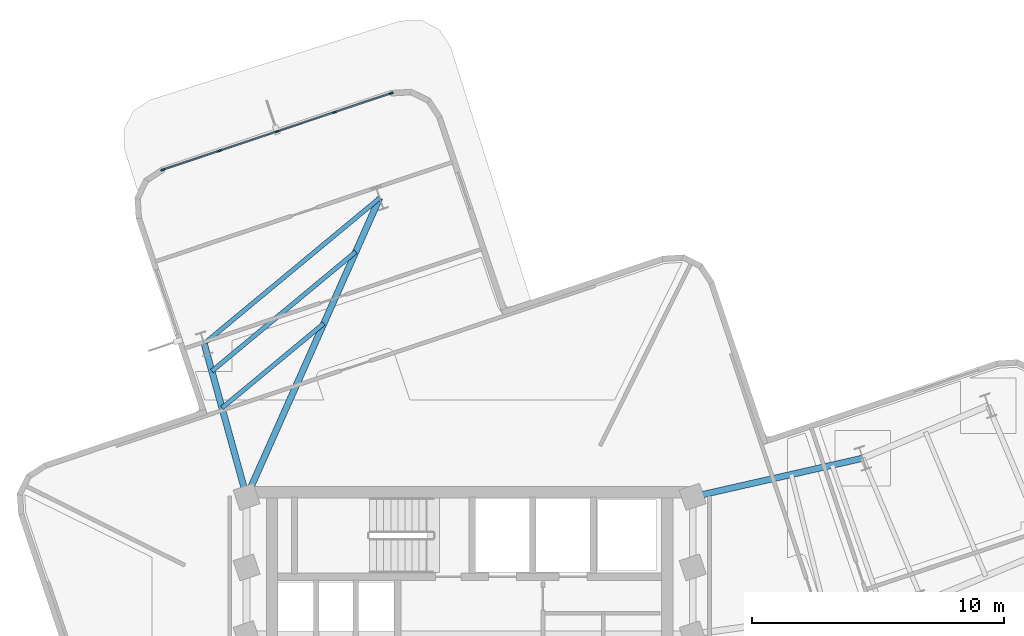
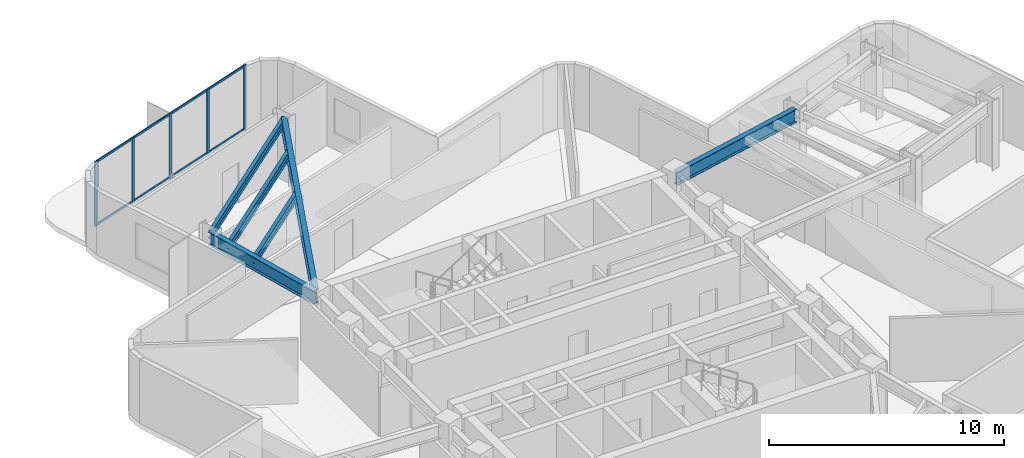
# One storey, part 4 of 11: 13 members, 6 beams, 1 element without a shape of its own.
"""IFC4 building model written with IfcOpenShell, lengths in metres."""

from ifc_helpers import new_model, si_unit, direction, frame, origin, origin_2d, place, context, subcontext, project, spatial, rectangle, i_section, extrude, material, layer, layer_set, material_profile, profile_set, type_object, element, aggregate, save


model = new_model("IFC4")

# Units and contexts
model_context = context("Model", 3, precision=1e-05, world=origin(), true_north=direction((0.0, 1.0)))
body_context = subcontext(model_context, "Body", "Model", "MODEL_VIEW")
ifc_project = project(units=[si_unit("LENGTHUNIT", "METRE"), si_unit("AREAUNIT", "SQUARE_METRE"), si_unit("VOLUMEUNIT", "CUBIC_METRE"), si_unit("PLANEANGLEUNIT", "RADIAN"), si_unit("MASSUNIT", "GRAM", prefix="KILO")], contexts=[model_context])

# Site, building, storey
site_placement = place(None, origin())
site = spatial("IfcSite", under=ifc_project, at=site_placement, CompositionType="ELEMENT")
building_placement = place(site_placement, origin())
building = spatial("IfcBuilding", under=site, at=building_placement, Name="Solmarez Civic Tower", CompositionType="ELEMENT")
storey_placement = place(building_placement, frame((0.0, 0.0, 155.8798828125)))
storey = spatial("IfcBuildingStorey", under=building, at=storey_placement, Name="L41", CompositionType="ELEMENT", Elevation=155.8798828125)

# Beams
ifc_material_1 = material(Name="Steel S355", Category="steel")
ifc_material_profile_1 = material_profile(ifc_material_1, i_section(OverallWidth=0.178955078125, OverallDepth=0.409912109375, WebThickness=0.0087890625, FlangeThickness=0.014404296875, at=origin_2d()), Name="W16X45")
ifc_profile_set_1 = profile_set([ifc_material_profile_1], Name="Steel S355")
beam_type_1 = type_object("IfcBeamType", Name="BM-JS-W16X45", PredefinedType="JOIST", material=ifc_profile_set_1)
beam_1_placement = place(storey_placement, frame((-3.570068359375, 20.20703125, 3.135009765625), z_axis=(-0.769767664309, -0.638324167633, 0.0), x_axis=(0.638324167633, -0.769767664309, 0.0)))
element("IfcBeam", 1, at=beam_1_placement, inside=storey, type_object=beam_type_1, Name="L41 Secondary Floor Joist BM-L41-NA-T1", PredefinedType="JOIST", context=body_context, shape_type="SweptSolid", body=[
    extrude(i_section(OverallWidth=0.178955078125, OverallDepth=0.409912109375, WebThickness=0.0087890625, FlangeThickness=0.014404296875, at=origin_2d()), origin(), (0.0, 0.0, 1.0), 9.04541015625),
])
beam_2_placement = place(storey_placement, frame((-5.7880859375, 15.22705078125, 3.135009765625), z_axis=(-0.76969549019, -0.63841119381, 0.0), x_axis=(0.63841119381, -0.76969549019, 0.0)))
element("IfcBeam", 2, at=beam_2_placement, inside=storey, type_object=beam_type_1, Name="L41 Secondary Floor Joist JS-L41-NA-M11", PredefinedType="JOIST", context=body_context, shape_type="SweptSolid", body=[
    extrude(i_section(OverallWidth=0.178955078125, OverallDepth=0.409912109375, WebThickness=0.0087890625, FlangeThickness=0.014404296875, at=origin_2d()), origin(), (0.0, 0.0, 1.0), 5.24609375),
])
beam_3_placement = place(storey_placement, frame((-4.52001953125, 18.072998046875, 3.135009765625), z_axis=(-0.769756777075, -0.638337296535, 0.0), x_axis=(0.638337296535, -0.769756777075, 0.0)))
element("IfcBeam", 3, at=beam_3_placement, inside=storey, type_object=beam_type_1, Name="L41 Secondary Floor Joist JS-L41-NA-M12", PredefinedType="JOIST", context=body_context, shape_type="SweptSolid", body=[
    extrude(i_section(OverallWidth=0.178955078125, OverallDepth=0.409912109375, WebThickness=0.0087890625, FlangeThickness=0.014404296875, at=origin_2d()), origin(), (0.0, 0.0, 1.0), 7.41796875),
])
ifc_material_profile_2 = material_profile(ifc_material_1, i_section(OverallWidth=0.25390625, OverallDepth=0.68798828125, WebThickness=0.01318359375, FlangeThickness=0.02099609375, at=origin_2d()), Name="W27X102")
ifc_profile_set_2 = profile_set([ifc_material_profile_2], Name="Steel S355")
beam_type_2 = type_object("IfcBeamType", Name="BM-PR-W27X102", PredefinedType="BEAM", material=ifc_profile_set_2)
beam_4_placement = place(storey_placement, frame((8.85009765625, 8.35009765625, 2.99609375), z_axis=(0.975124879448, 0.221656196577, 0.0), x_axis=(-0.221656196577, 0.975124879448, 0.0)))
element("IfcBeam", 4, at=beam_4_placement, inside=storey, type_object=beam_type_2, Name="L41 Primary Floor Beam BM-L41-EA-R1B", PredefinedType="BEAM", context=body_context, shape_type="SweptSolid", body=[
    extrude(i_section(OverallWidth=0.25390625, OverallDepth=0.68798828125, WebThickness=0.01318359375, FlangeThickness=0.02099609375, at=origin_2d()), origin(), (0.0, 0.0, 1.0), 6.916015625),
])
beam_5_placement = place(storey_placement, frame((-8.85009765625, 8.35009765625, 2.99609375), z_axis=(0.406799805731, 0.9135173332, 0.0), x_axis=(-0.9135173332, 0.406799805731, 0.0)))
element("IfcBeam", 5, at=beam_5_placement, inside=storey, type_object=beam_type_2, Name="L41 Primary Floor Beam BM-L41-NA-R1A", PredefinedType="BEAM", context=body_context, shape_type="SweptSolid", body=[
    extrude(i_section(OverallWidth=0.25390625, OverallDepth=0.68798828125, WebThickness=0.01318359375, FlangeThickness=0.02099609375, at=origin_2d()), origin(), (0.0, 0.0, 1.0), 12.9794921875),
])
beam_6_placement = place(storey_placement, frame((-8.85009765625, 8.35009765625, 2.99609375), z_axis=(-0.266634219494, 0.963797796737, 0.0), x_axis=(-0.963797796737, -0.266634219494, 0.0)))
element("IfcBeam", 6, at=beam_6_placement, inside=storey, type_object=beam_type_2, Name="L41 Primary Floor Beam BM-L41-NA-R1B", PredefinedType="BEAM", context=body_context, shape_type="SweptSolid", body=[
    extrude(i_section(OverallWidth=0.25390625, OverallDepth=0.68798828125, WebThickness=0.01318359375, FlangeThickness=0.02099609375, at=origin_2d()), origin(), (0.0, 0.0, 1.0), 6.3115234375),
])

# Curtain wall, members
ifc_material_2 = material(Name="Bronze Anodised Aluminium EN AW-6063 T6", Category="aluminium")
ifc_layer = layer(ifc_material_2, 0.175048828125)
ifc_layer_set = layer_set([ifc_layer], Name="Bronze Anodised Aluminium EN AW-6063 T6")
curtain_wall_type = type_object("IfcCurtainWallType", Name="CW-SYS-3", PredefinedType="NOTDEFINED", material=ifc_layer_set)
curtain_wall_placement = place(storey_placement, origin())
curtain_wall = element("IfcCurtainWall", 7, at=curtain_wall_placement, inside=storey, type_object=curtain_wall_type, Name="L41 Stick-Built Curtain Wall 2", PredefinedType="NOTDEFINED")
ifc_material_profile_3 = material_profile(ifc_material_2, rectangle(XDim=0.06494140625, YDim=0.1650390625, at=origin_2d()), Name="CWM-65X165")
ifc_profile_set_3 = profile_set([ifc_material_profile_3], Name="Bronze Anodised Aluminium EN AW-6063 T6")
member_type_1 = type_object("IfcMemberType", Name="CWM-TYPE-3", PredefinedType="MULLION", material=ifc_profile_set_3)
member_1_placement = place(storey_placement, frame((-12.17529296875, 21.329345703125, 0.0), z_axis=(0.0, 0.0, 1.0), x_axis=(-0.317318892633, 0.948318891712, 0.0)))
member_1 = element("IfcMember", 8, at=member_1_placement, type_object=member_type_1, Name="CWS3 mullion 1", PredefinedType="MULLION", context=body_context, shape_type="SweptSolid", body=[
    extrude(rectangle(XDim=0.06494140625, YDim=0.1650390625, at=origin_2d()), origin(), (0.0, 0.0, 1.0), 3.340087890625),
])
member_2_placement = place(storey_placement, frame((-9.925048828125, 22.082275390625, 0.0), z_axis=(0.0, 0.0, 1.0), x_axis=(-0.317318892633, 0.948318891712, 0.0)))
member_2 = element("IfcMember", 9, at=member_2_placement, type_object=member_type_1, Name="CWS3 mullion 2", PredefinedType="MULLION", context=body_context, shape_type="SweptSolid", body=[
    extrude(rectangle(XDim=0.06494140625, YDim=0.1650390625, at=origin_2d()), origin(), (0.0, 0.0, 1.0), 3.340087890625),
])
member_3_placement = place(storey_placement, frame((-7.64404296875, 22.845458984375, 0.0), z_axis=(0.0, 0.0, 1.0), x_axis=(-0.317318892633, 0.948318891712, 0.0)))
member_3 = element("IfcMember", 10, at=member_3_placement, type_object=member_type_1, Name="CWS3 mullion 3", PredefinedType="MULLION", context=body_context, shape_type="SweptSolid", body=[
    extrude(rectangle(XDim=0.06494140625, YDim=0.1650390625, at=origin_2d()), origin(), (0.0, 0.0, 1.0), 3.340087890625),
])
member_4_placement = place(storey_placement, frame((-5.363037109375, 23.608642578125, 0.0), z_axis=(0.0, 0.0, 1.0), x_axis=(-0.317318892633, 0.948318891712, 0.0)))
member_4 = element("IfcMember", 11, at=member_4_placement, type_object=member_type_1, Name="CWS3 mullion 4", PredefinedType="MULLION", context=body_context, shape_type="SweptSolid", body=[
    extrude(rectangle(XDim=0.06494140625, YDim=0.1650390625, at=origin_2d()), origin(), (0.0, 0.0, 1.0), 3.340087890625),
])
member_5_placement = place(storey_placement, frame((-3.11279296875, 24.361572265625, 0.0), z_axis=(0.0, 0.0, 1.0), x_axis=(-0.317318892633, 0.948318891712, 0.0)))
member_5 = element("IfcMember", 12, at=member_5_placement, type_object=member_type_1, Name="CWS3 mullion 5", PredefinedType="MULLION", context=body_context, shape_type="SweptSolid", body=[
    extrude(rectangle(XDim=0.06494140625, YDim=0.1650390625, at=origin_2d()), origin(), (0.0, 0.0, 1.0), 3.340087890625),
])
ifc_material_profile_4 = material_profile(ifc_material_2, rectangle(XDim=0.06005859375, YDim=0.110107421875, at=origin_2d()), Name="CWT-60X110")
ifc_profile_set_4 = profile_set([ifc_material_profile_4], Name="Bronze Anodised Aluminium EN AW-6063 T6")
member_type_2 = type_object("IfcMemberType", Name="CWT-TYPE-3", PredefinedType="USERDEFINED", material=ifc_profile_set_4)
member_6_placement = place(storey_placement, frame((-12.144287109375, 21.339599609375, 0.030029296875), z_axis=(0.948301765972, 0.317370068933, 0.0), x_axis=(-0.317370068933, 0.948301765972, 0.0)))
member_6 = element("IfcMember", 13, at=member_6_placement, type_object=member_type_2, Name="CWS3 transom 1.1", ObjectType="TRANSOM", PredefinedType="USERDEFINED", context=body_context, shape_type="SweptSolid", body=[
    extrude(rectangle(XDim=0.06005859375, YDim=0.110107421875, at=origin_2d()), origin(), (0.0, 0.0, 1.0), 2.307861328125),
])
member_7_placement = place(storey_placement, frame((-12.144287109375, 21.339599609375, 3.31005859375), z_axis=(0.948301765972, 0.317370068933, 0.0), x_axis=(-0.317370068933, 0.948301765972, 0.0)))
member_7 = element("IfcMember", 14, at=member_7_placement, type_object=member_type_2, Name="CWS3 transom 1.2", ObjectType="TRANSOM", PredefinedType="USERDEFINED", context=body_context, shape_type="SweptSolid", body=[
    extrude(rectangle(XDim=0.06005859375, YDim=0.110107421875, at=origin_2d()), origin(), (0.0, 0.0, 1.0), 2.307861328125),
])
member_8_placement = place(storey_placement, frame((-9.894287109375, 22.092529296875, 0.030029296875), z_axis=(0.948317567155, 0.317322851093, 0.0), x_axis=(-0.317322851093, 0.948317567155, 0.0)))
member_8 = element("IfcMember", 15, at=member_8_placement, type_object=member_type_2, Name="CWS3 transom 2.1", ObjectType="TRANSOM", PredefinedType="USERDEFINED", context=body_context, shape_type="SweptSolid", body=[
    extrude(rectangle(XDim=0.06005859375, YDim=0.110107421875, at=origin_2d()), origin(), (0.0, 0.0, 1.0), 2.34033203125),
])
member_9_placement = place(storey_placement, frame((-9.894287109375, 22.092529296875, 3.31005859375), z_axis=(0.948317567155, 0.317322851093, 0.0), x_axis=(-0.317322851093, 0.948317567155, 0.0)))
member_9 = element("IfcMember", 16, at=member_9_placement, type_object=member_type_2, Name="CWS3 transom 2.2", ObjectType="TRANSOM", PredefinedType="USERDEFINED", context=body_context, shape_type="SweptSolid", body=[
    extrude(rectangle(XDim=0.06005859375, YDim=0.110107421875, at=origin_2d()), origin(), (0.0, 0.0, 1.0), 2.34033203125),
])
member_10_placement = place(storey_placement, frame((-7.61328125, 22.855712890625, 0.030029296875), z_axis=(0.948317567155, 0.317322851093, 0.0), x_axis=(-0.317322851093, 0.948317567155, 0.0)))
member_10 = element("IfcMember", 17, at=member_10_placement, type_object=member_type_2, Name="CWS3 transom 3.1", ObjectType="TRANSOM", PredefinedType="USERDEFINED", context=body_context, shape_type="SweptSolid", body=[
    extrude(rectangle(XDim=0.06005859375, YDim=0.110107421875, at=origin_2d()), origin(), (0.0, 0.0, 1.0), 2.34033203125),
])
member_11_placement = place(storey_placement, frame((-7.61328125, 22.855712890625, 3.31005859375), z_axis=(0.948317567155, 0.317322851093, 0.0), x_axis=(-0.317322851093, 0.948317567155, 0.0)))
member_11 = element("IfcMember", 18, at=member_11_placement, type_object=member_type_2, Name="CWS3 transom 3.2", ObjectType="TRANSOM", PredefinedType="USERDEFINED", context=body_context, shape_type="SweptSolid", body=[
    extrude(rectangle(XDim=0.06005859375, YDim=0.110107421875, at=origin_2d()), origin(), (0.0, 0.0, 1.0), 2.34033203125),
])
member_12_placement = place(storey_placement, frame((-5.332275390625, 23.619140625, 0.030029296875), z_axis=(0.948344249045, 0.31724310127, 0.0), x_axis=(-0.31724310127, 0.948344249045, 0.0)))
member_12 = element("IfcMember", 19, at=member_12_placement, type_object=member_type_2, Name="CWS3 transom 4.1", ObjectType="TRANSOM", PredefinedType="USERDEFINED", context=body_context, shape_type="SweptSolid", body=[
    extrude(rectangle(XDim=0.06005859375, YDim=0.110107421875, at=origin_2d()), origin(), (0.0, 0.0, 1.0), 2.307861328125),
])
member_13_placement = place(storey_placement, frame((-5.332275390625, 23.619140625, 3.31005859375), z_axis=(0.948344249045, 0.31724310127, 0.0), x_axis=(-0.31724310127, 0.948344249045, 0.0)))
member_13 = element("IfcMember", 20, at=member_13_placement, type_object=member_type_2, Name="CWS3 transom 4.2", ObjectType="TRANSOM", PredefinedType="USERDEFINED", context=body_context, shape_type="SweptSolid", body=[
    extrude(rectangle(XDim=0.06005859375, YDim=0.110107421875, at=origin_2d()), origin(), (0.0, 0.0, 1.0), 2.307861328125),
])
aggregate(curtain_wall, [member_1, member_2, member_3, member_4, member_5, member_6, member_7, member_8, member_9, member_10, member_11, member_12, member_13])

save(model, "model.ifc")
